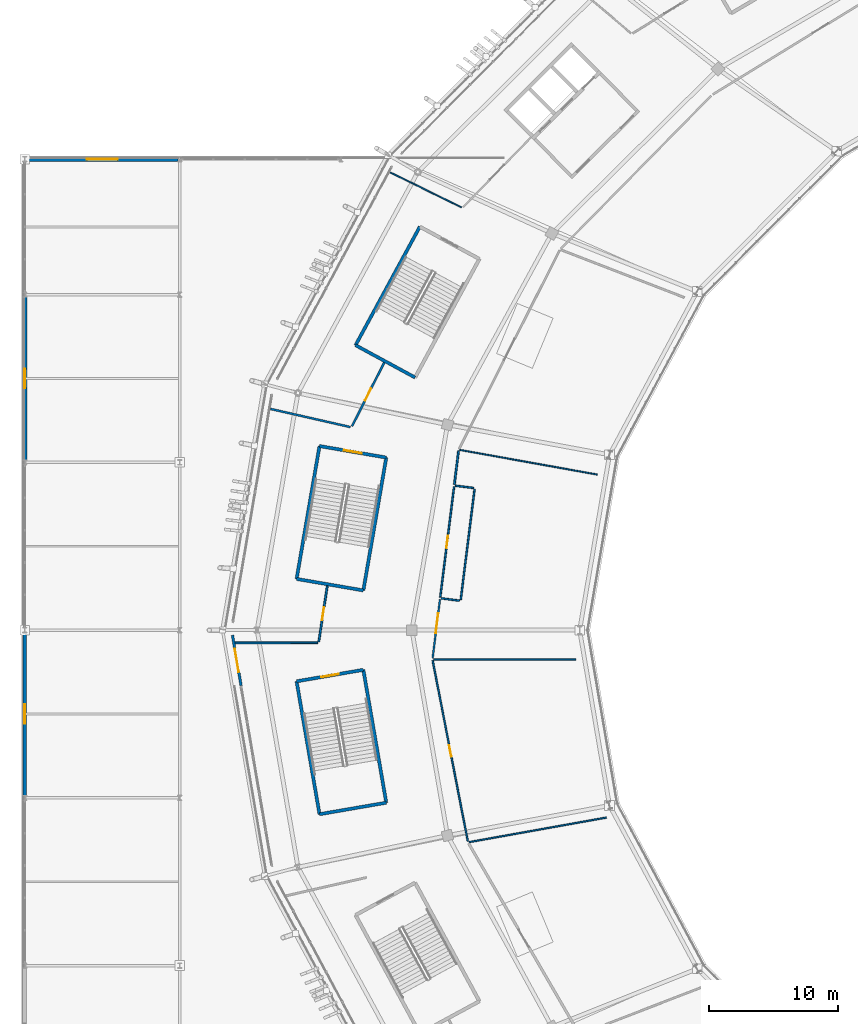
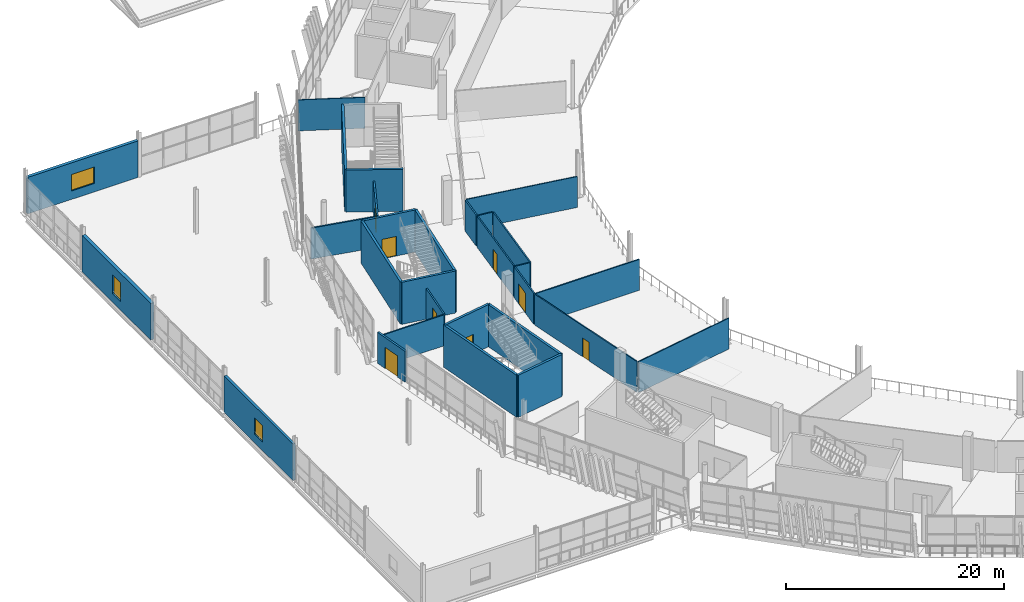
# One storey, part 127 of 179: 29 walls, 8 doors, 3 windows, 11 openings.
"""IFC4 building model written with IfcOpenShell, lengths in metres."""

import ifcopenshell
import ifcopenshell.guid

model = None  # the IFC model being written
_history = None  # IfcOwnerHistory: only IFC2X3 demands one
_inside = {}  # id of a spatial element -> (the spatial element, [elements in it])
_under = {}  # id of a project, library or spatial element -> (it, [spatial elements below it])
_declared = {}  # id of a project -> (the project, [libraries it declares])
_typed = {}  # id of a type object -> (the type object, [elements of that type])
_made_of = {}  # id of a material, layer set ... -> (it, [elements and type objects made of it])


def new_model(schema):
    """Start an empty IFC model of exactly this schema.

    Asked for "IFC4X3", IfcOpenShell would pick the latest addendum, in which some entities
    have other attributes; the version numbers below select the first issue.
    IFC2X3 requires an IfcOwnerHistory on every rooted entity: one is made here for all.
    """
    global model, _history
    if schema == "IFC4X3":
        model = ifcopenshell.file(schema_version=(4, 3, 0, 0))
    else:
        model = ifcopenshell.file(schema=schema)
    _inside.clear()
    _under.clear()
    _declared.clear()
    _typed.clear()
    _made_of.clear()
    _history = None
    if model.schema == "IFC2X3":
        org = make("IfcOrganization", Name="unknown")
        user = make(
            "IfcPersonAndOrganization",
            ThePerson=make("IfcPerson", FamilyName="unknown"),
            TheOrganization=org,
        )
        app = make(
            "IfcApplication",
            ApplicationDeveloper=org,
            Version="unknown",
            ApplicationFullName="unknown",
            ApplicationIdentifier="unknown",
        )
        _history = make(
            "IfcOwnerHistory",
            OwningUser=user,
            OwningApplication=app,
            ChangeAction="ADDED",
            CreationDate=0,
        )
    return model


def make(cls, **values):
    """One entity of the class cls with the attributes given. An attribute that is None is left unset."""
    return model.create_entity(
        cls, **{name: value for name, value in values.items() if value is not None}
    )


def rooted(cls, **values):
    """An entity with a GlobalId (a new one), such as an element, a storey or a relation."""
    return make(cls, GlobalId=ifcopenshell.guid.new(), OwnerHistory=_history, **values)


def si_unit(unit_type, name, prefix=None):
    """IfcSIUnit, for example si_unit("LENGTHUNIT", "METRE", prefix="MILLI")."""
    return make("IfcSIUnit", UnitType=unit_type, Prefix=prefix, Name=name)


def assignment(units):
    """IfcUnitAssignment: the units of a project."""
    return None if units is None else make("IfcUnitAssignment", Units=units)


def point(xyz):
    """IfcCartesianPoint."""
    return None if xyz is None else make("IfcCartesianPoint", Coordinates=xyz)


def direction(xyz):
    """IfcDirection."""
    return None if xyz is None else make("IfcDirection", DirectionRatios=xyz)


def frame(location, z_axis=None, x_axis=None):
    """IfcAxis2Placement3D, a coordinate frame: its origin and axes. An axis left out is left unset."""
    return make(
        "IfcAxis2Placement3D",
        Location=point(location),
        Axis=direction(z_axis),
        RefDirection=direction(x_axis),
    )


def frame_2d(location, x_axis=None):
    """IfcAxis2Placement2D, a coordinate frame in the plane: its origin and x axis."""
    return make(
        "IfcAxis2Placement2D", Location=point(location), RefDirection=direction(x_axis)
    )


def origin():
    """The frame at (0, 0, 0) with its axes left unset."""
    return frame((0.0, 0.0, 0.0))


def place(relative_to, where):
    """IfcLocalPlacement: puts the frame where relative to a parent placement (None: the world)."""
    return make(
        "IfcLocalPlacement", PlacementRelTo=relative_to, RelativePlacement=where
    )


def context(
    kind, dimensions, precision=None, world=None, true_north=None, identifier=None
):
    """IfcGeometricRepresentationContext, for example the 3D "Model" context."""
    return make(
        "IfcGeometricRepresentationContext",
        ContextIdentifier=identifier,
        ContextType=kind,
        CoordinateSpaceDimension=dimensions,
        Precision=precision,
        WorldCoordinateSystem=world,
        TrueNorth=true_north,
    )


def subcontext(parent, identifier, kind, view, scale=None):
    """IfcGeometricRepresentationSubContext, for example "Body" below "Model"."""
    return make(
        "IfcGeometricRepresentationSubContext",
        ContextIdentifier=identifier,
        ContextType=kind,
        ParentContext=parent,
        TargetScale=scale,
        TargetView=view,
    )


def project(units=None, contexts=None):
    """IfcProject with its units and contexts."""
    return rooted(
        "IfcProject",
        Name="project",
        RepresentationContexts=contexts,
        UnitsInContext=assignment(units),
    )


def spatial(cls, under=None, at=None, **own):
    """A site, building, storey or space (cls), placed at a placement, below another one or the project."""
    s = rooted(cls, ObjectPlacement=at, **own)
    if under is not None:
        _under.setdefault(under.id(), (under, []))[1].append(s)
    return s


def profile(cls, at=None, kind="AREA", **sizes):
    """A parametric profile (cls). Its sizes go by their IFC names, for example OverallWidth=200.0."""
    return make(cls, ProfileType=kind, Position=at, **sizes)


def rectangle(**sizes):
    """IfcRectangleProfileDef."""
    return profile("IfcRectangleProfileDef", **sizes)


def extrude(swept, where, along, depth):
    """IfcExtrudedAreaSolid: the profile swept, set in the frame where, extruded along a direction by depth."""
    return make(
        "IfcExtrudedAreaSolid",
        SweptArea=swept,
        Position=where,
        ExtrudedDirection=direction(along),
        Depth=depth,
    )


def shape(context_of_items, identifier, shape_type, items):
    """IfcShapeRepresentation: the items that make up one representation, for example the "Body"."""
    return make(
        "IfcShapeRepresentation",
        ContextOfItems=context_of_items,
        RepresentationIdentifier=identifier,
        RepresentationType=shape_type,
        Items=items,
    )


def material(Name=None, Category=None):
    """IfcMaterial."""
    return make("IfcMaterial", Name=Name, Category=Category)


def layer(
    of_material, thickness, ventilated=None, Name=None, Category=None, Priority=None
):
    """IfcMaterialLayer: one layer of a wall or slab, of a material (None: an air gap)."""
    return make(
        "IfcMaterialLayer",
        Material=of_material,
        LayerThickness=thickness,
        IsVentilated=ventilated,
        Name=Name,
        Category=Category,
        Priority=Priority,
    )


def layer_set(layers, Name=None):
    """IfcMaterialLayerSet."""
    return make("IfcMaterialLayerSet", MaterialLayers=layers, LayerSetName=Name)


def made_of(thing, what):
    """Note that an element or type object is made of a material, layer set ...; save() writes the relation."""
    if what is not None:
        _made_of.setdefault(what.id(), (what, []))[1].append(thing)
    return thing


def type_object(cls, material=None, **own):
    """A type object (cls), such as IfcWallType, which elements share."""
    return made_of(rooted(cls, **own), material)


def element(
    cls,
    number,
    at=None,
    inside=None,
    cuts=None,
    type_object=None,
    material=None,
    context=None,
    identifier="Body",
    shape_type=None,
    held_by="IfcProductDefinitionShape",
    body=None,
    shapes=None,
    **own,
):
    """One element of the class cls, such as IfcWall. Its Tag is "e" and its number.

    at: its placement. inside: the storey or other place that contains it. cuts: it is an
    opening in that element (IfcRelVoidsElement). A single representation is given by context,
    identifier, shape_type and body (its items); several are given by shapes. held_by: the class
    of the entity that holds the representations. save() writes the other relations.
    """
    e = rooted(cls, Tag="e%d" % number, ObjectPlacement=at, **own)
    if body is not None:
        shapes = [shape(context, identifier, shape_type, body)]
    if shapes is not None:
        e.Representation = make(held_by, Representations=shapes)
    if inside is not None:
        _inside.setdefault(inside.id(), (inside, []))[1].append(e)
    if cuts is not None:
        rooted(
            "IfcRelVoidsElement", RelatingBuildingElement=cuts, RelatedOpeningElement=e
        )
    if type_object is not None:
        _typed.setdefault(type_object.id(), (type_object, []))[1].append(e)
    return made_of(e, material)


def fill(opening, filler):
    """IfcRelFillsElement: the door or window that sits in an opening."""
    return rooted(
        "IfcRelFillsElement",
        RelatingOpeningElement=opening,
        RelatedBuildingElement=filler,
    )


def aggregate(whole, parts):
    """IfcRelAggregates: a whole, such as a stair, and the parts it consists of."""
    return rooted("IfcRelAggregates", RelatingObject=whole, RelatedObjects=parts)


def save(model, path):
    """Write the relations noted so far, then the file.

    IfcRelAggregates (storeys below a building ...), IfcRelContainedInSpatialStructure (elements
    in a storey), IfcRelDefinesByType, IfcRelAssociatesMaterial and IfcRelDeclares: one each for
    every whole, place, type object, material and project.
    """
    for whole, parts in _under.values():
        aggregate(whole, parts)
    for where, things in _inside.values():
        rooted(
            "IfcRelContainedInSpatialStructure",
            RelatedElements=things,
            RelatingStructure=where,
        )
    for kind, things in _typed.values():
        rooted("IfcRelDefinesByType", RelatedObjects=things, RelatingType=kind)
    for what, things in _made_of.values():
        rooted("IfcRelAssociatesMaterial", RelatedObjects=things, RelatingMaterial=what)
    for by, libraries in _declared.values():
        rooted("IfcRelDeclares", RelatingContext=by, RelatedDefinitions=libraries)
    model.write(path)


model = new_model("IFC4")

# Units and contexts
model_context = context("Model", 3, precision=1e-05, world=origin(), true_north=direction((0.0, 1.0)))
body_context = subcontext(model_context, "Body", "Model", "MODEL_VIEW")
ifc_project = project(units=[si_unit("LENGTHUNIT", "METRE"), si_unit("AREAUNIT", "SQUARE_METRE"), si_unit("VOLUMEUNIT", "CUBIC_METRE"), si_unit("PLANEANGLEUNIT", "RADIAN"), si_unit("MASSUNIT", "GRAM", prefix="KILO")], contexts=[model_context])

# Site, building, storey
site_placement = place(None, origin())
site = spatial("IfcSite", under=ifc_project, at=site_placement, CompositionType="ELEMENT")
building_placement = place(site_placement, origin())
building = spatial("IfcBuilding", under=site, at=building_placement, Name="Zlatoyarsky Gate Stadium", CompositionType="ELEMENT")
storey_placement = place(building_placement, frame((0.0, 0.0, 10.60009765625)))
storey = spatial("IfcBuildingStorey", under=building, at=storey_placement, Name="L02", CompositionType="ELEMENT", Elevation=10.60009765625)

# Wall, opening, door
ifc_material_1 = material(Name="Double-stud acoustic gypsum partition", Category="gypsum")
ifc_layer_1 = layer(ifc_material_1, 0.169921875)
ifc_layer_set_1 = layer_set([ifc_layer_1], Name="Double-stud acoustic gypsum partition")
wall_type_1 = type_object("IfcWallType", Name="ACOUSTIC BROADCAST STUDIO WALL 170", PredefinedType="PARTITIONING", material=ifc_layer_set_1)
wall_1_placement = place(storey_placement, frame((27.849365234375, 100.732421875, 0.0), z_axis=(0.0, 0.0, 1.0), x_axis=(-0.451304453126, -0.892370041288, 0.0)))
wall_1 = element("IfcWall", 1, at=wall_1_placement, inside=storey, type_object=wall_type_1, Name="L02 interior partition PRT-L02-OCC-10-1", PredefinedType="PARTITIONING", context=body_context, shape_type="SweptSolid", body=[
    extrude(rectangle(XDim=5.531982421875, YDim=0.169921875, at=frame_2d((2.76611328125, 0.0))), origin(), (0.0, 0.0, 1.0), 3.469970703125),
])
opening_1_placement = place(wall_1_placement, frame((2.256103515625, 0.0, 0.0)))
opening_1 = element("IfcOpeningElement", 2, at=opening_1_placement, cuts=wall_1, Name="Opening D-L02-360", PredefinedType="OPENING", context=body_context, shape_type="SweptSolid", body=[
    extrude(rectangle(XDim=1.02001953125, YDim=2.239990234375, at=frame_2d((0.510009765625, 1.1201171875))), frame((0.0, 0.094970703125, 0.0), z_axis=(0.0, -1.0, 0.0), x_axis=(1.0, 0.0, 0.0)), (0.0, 0.0, 1.0), 0.18994140625),
])
ifc_material_2 = material(Name="Powder-coated steel fire door", Category="steel")
door_type_1 = type_object("IfcDoorType", Name="ACOUSTIC INTERIOR DOOR 1020X2240", OperationType="NOTDEFINED", PredefinedType="DOOR", material=ifc_material_2)
door_1_placement = place(opening_1_placement, origin())
door_1 = element("IfcDoor", 3, at=door_1_placement, inside=storey, type_object=door_type_1, Name="L02 room door D-L02-360", OperationType="SINGLE_SWING_RIGHT", OverallHeight=2.239990234375, OverallWidth=1.02001953125, PredefinedType="DOOR", context=body_context, shape_type="SweptSolid", body=[
    extrude(rectangle(XDim=1.02001953125, YDim=2.239990234375, at=frame_2d((0.510009765625, 1.1201171875))), frame((0.0, 0.02490234375, 0.0), z_axis=(0.0, -1.0, 0.0), x_axis=(1.0, 0.0, 0.0)), (0.0, 0.0, 1.0), 0.050048828125),
])
fill(opening_1, door_1)

ifc_material_3 = material(Name="Moisture-resistant masonry partition", Category="masonry")
ifc_layer_2 = layer(ifc_material_3, 0.139892578125)
ifc_layer_set_2 = layer_set([ifc_layer_2], Name="Moisture-resistant masonry partition")
wall_type_2 = type_object("IfcWallType", Name="ATHLETE CHANGING BLOCK PARTITION 140", PredefinedType="PARTITIONING", material=ifc_layer_set_2)
wall_2_placement = place(storey_placement, frame((32.176513671875, 82.389404296875, 0.0), z_axis=(0.0, 0.0, 1.0), x_axis=(-0.124269532661, -0.99224849874, 0.0)))
wall_2 = element("IfcWall", 4, at=wall_2_placement, inside=storey, type_object=wall_type_2, Name="L02 interior partition PRT-L02-ICC-11", PredefinedType="PARTITIONING", context=body_context, shape_type="SweptSolid", body=[
    extrude(rectangle(XDim=4.60693359375, YDim=0.139892578125, at=frame_2d((2.303466796875, 0.0))), origin(), (0.0, 0.0, 1.0), 3.469970703125),
])
opening_2_placement = place(wall_2_placement, frame((1.10009765625, 0.0, 0.0)))
opening_2 = element("IfcOpeningElement", 5, at=opening_2_placement, cuts=wall_2, Name="Opening D-L02-313", PredefinedType="OPENING", context=body_context, shape_type="SweptSolid", body=[
    extrude(rectangle(XDim=1.56005859375, YDim=2.239990234375, at=frame_2d((0.780029296875, 1.1201171875))), frame((0.0, 0.079833984375, 0.0), z_axis=(0.0, -1.0, 0.0), x_axis=(1.0, 0.0, 0.0)), (0.0, 0.0, 1.0), 0.159912109375),
])
door_type_2 = type_object("IfcDoorType", Name="ACOUSTIC INTERIOR DOOR 1560X2240", OperationType="NOTDEFINED", PredefinedType="DOOR", material=ifc_material_2)
door_2_placement = place(opening_2_placement, origin())
door_2 = element("IfcDoor", 6, at=door_2_placement, inside=storey, type_object=door_type_2, Name="L02 room door D-L02-313", OperationType="SINGLE_SWING_RIGHT", OverallHeight=2.239990234375, OverallWidth=1.56005859375, PredefinedType="DOOR", context=body_context, shape_type="SweptSolid", body=[
    extrude(rectangle(XDim=1.56005859375, YDim=2.239990234375, at=frame_2d((0.780029296875, 1.1201171875))), frame((0.0, 0.02490234375, 0.0), z_axis=(0.0, -1.0, 0.0), x_axis=(1.0, 0.0, 0.0)), (0.0, 0.0, 1.0), 0.050048828125),
])
fill(opening_2, door_2)

# Wall
wall_3_placement = place(storey_placement, frame((22.685302734375, 79.0146484375, 0.0), z_axis=(0.0, 0.0, 1.0), x_axis=(-0.999999999274, -3.8103948e-05, 0.0)))
element("IfcWall", 7, at=wall_3_placement, inside=storey, type_object=wall_type_2, Name="L02 interior partition PRT-L02-ORD-11R", PredefinedType="PARTITIONING", context=body_context, shape_type="SweptSolid", body=[
    extrude(rectangle(XDim=6.4072265625, YDim=0.139892578125, at=frame_2d((3.20361328125, 0.0))), origin(), (0.0, 0.0, 1.0), 3.469970703125),
])

# Wall, opening, door
ifc_material_4 = material(Name="Gypsum-clad mineral wool fire partition", Category="gypsum")
ifc_layer_3 = layer(ifc_material_4, 0.199951171875)
ifc_layer_set_3 = layer_set([ifc_layer_3], Name="Gypsum-clad mineral wool fire partition")
wall_type_3 = type_object("IfcWallType", Name="COMPARTMENT FIRE PARTITION WALL 200", PredefinedType="PARTITIONING", material=ifc_layer_set_3)
wall_4_placement = place(storey_placement, frame((16.092529296875, 79.600830078125, 0.0), z_axis=(0.0, 0.0, 1.0), x_axis=(0.168866275192, -0.985638970974, 0.0)))
wall_4 = element("IfcWall", 8, at=wall_4_placement, inside=storey, type_object=wall_type_3, Name="L02 interior partition PRT-PORTAL-L02-12", PredefinedType="PARTITIONING", context=body_context, shape_type="SweptSolid", body=[
    extrude(rectangle(XDim=3.9599609375, YDim=0.199951171875, at=frame_2d((1.97998046875, 0.0))), origin(), (0.0, 0.0, 1.0), 3.469970703125),
])
opening_3_placement = place(wall_4_placement, frame((1.070068359375, 0.0, 0.0)))
opening_3 = element("IfcOpeningElement", 9, at=opening_3_placement, cuts=wall_4, Name="Opening D-L02-715", PredefinedType="OPENING", context=body_context, shape_type="SweptSolid", body=[
    extrude(rectangle(XDim=1.820068359375, YDim=2.3798828125, at=frame_2d((0.91015625, 1.18994140625))), frame((0.0, 0.10986328125, 0.0), z_axis=(0.0, -1.0, 0.0), x_axis=(1.0, 0.0, 0.0)), (0.0, 0.0, 1.0), 0.219970703125),
])
door_type_3 = type_object("IfcDoorType", Name="ACOUSTIC INTERIOR DOOR 1820X2380", OperationType="NOTDEFINED", PredefinedType="DOOR", material=ifc_material_2)
door_3_placement = place(opening_3_placement, origin())
door_3 = element("IfcDoor", 10, at=door_3_placement, inside=storey, type_object=door_type_3, Name="L02 room door D-L02-715", OperationType="SINGLE_SWING_LEFT", OverallHeight=2.3798828125, OverallWidth=1.820068359375, PredefinedType="DOOR", context=body_context, shape_type="SweptSolid", body=[
    extrude(rectangle(XDim=1.820068359375, YDim=2.3798828125, at=frame_2d((0.91015625, 1.18994140625))), frame((0.0, 0.02490234375, 0.0), z_axis=(0.0, -1.0, 0.0), x_axis=(1.0, 0.0, 0.0)), (0.0, 0.0, 1.0), 0.050048828125),
])
fill(opening_3, door_3)

# Wall
ifc_material_5 = material(Name="Metal-stud gypsum partition", Category="gypsum")
ifc_layer_4 = layer(ifc_material_5, 0.14990234375)
ifc_layer_set_4 = layer_set([ifc_layer_4], Name="Metal-stud gypsum partition")
wall_type_4 = type_object("IfcWallType", Name="CONCOURSE CORRIDOR PARTITION 150", PredefinedType="PARTITIONING", material=ifc_layer_set_4)
wall_5_placement = place(storey_placement, frame((33.61767578125, 93.8994140625, 0.0), z_axis=(0.0, 0.0, 1.0), x_axis=(-0.124206110608, -0.992256439681, 0.0)))
element("IfcWall", 11, at=wall_5_placement, inside=storey, type_object=wall_type_4, Name="L02 interior partition PRT-L02-WCL-11", PredefinedType="PARTITIONING", context=body_context, shape_type="SweptSolid", body=[
    extrude(rectangle(XDim=2.6298828125, YDim=0.14990234375, at=frame_2d((1.31494140625, 0.0))), origin(), (0.0, 0.0, 1.0), 3.469970703125),
])

# Wall, opening, door
wall_6_placement = place(storey_placement, frame((23.442138671875, 83.4267578125, 0.0), z_axis=(0.0, 0.0, 1.0), x_axis=(-0.150565219496, -0.988600078231, 0.0)))
wall_6 = element("IfcWall", 12, at=wall_6_placement, inside=storey, type_object=wall_type_4, Name="L02 interior partition PRT-L02-OCC-11-1", PredefinedType="PARTITIONING", context=body_context, shape_type="SweptSolid", body=[
    extrude(rectangle(XDim=4.3779296875, YDim=0.14990234375, at=frame_2d((2.18896484375, 0.0))), origin(), (0.0, 0.0, 1.0), 3.469970703125),
])
opening_4_placement = place(wall_6_placement, frame((1.67919921875, 0.0, 0.0)))
opening_4 = element("IfcOpeningElement", 13, at=opening_4_placement, cuts=wall_6, Name="Opening D-L02-362", PredefinedType="OPENING", context=body_context, shape_type="SweptSolid", body=[
    extrude(rectangle(XDim=1.02001953125, YDim=2.3798828125, at=frame_2d((0.510009765625, 1.18994140625))), frame((0.0, 0.0849609375, 0.0), z_axis=(0.0, -1.0, 0.0), x_axis=(1.0, 0.0, 0.0)), (0.0, 0.0, 1.0), 0.169921875),
])
door_type_4 = type_object("IfcDoorType", Name="ACOUSTIC INTERIOR DOOR 1020X2380", OperationType="NOTDEFINED", PredefinedType="DOOR", material=ifc_material_2)
door_4_placement = place(opening_4_placement, origin())
door_4 = element("IfcDoor", 14, at=door_4_placement, inside=storey, type_object=door_type_4, Name="L02 room door D-L02-362", OperationType="SINGLE_SWING_LEFT", OverallHeight=2.3798828125, OverallWidth=1.02001953125, PredefinedType="DOOR", context=body_context, shape_type="SweptSolid", body=[
    extrude(rectangle(XDim=1.02001953125, YDim=2.3798828125, at=frame_2d((0.510009765625, 1.18994140625))), frame((0.0, 0.02490234375, 0.0), z_axis=(0.0, -1.0, 0.0), x_axis=(1.0, 0.0, 0.0)), (0.0, 0.0, 1.0), 0.050048828125),
])
fill(opening_4, door_4)

# Walls
ifc_material_6 = material(Name="Concrete C40/50", Category="concrete")
ifc_layer_5 = layer(ifc_material_6, 0.25)
ifc_layer_set_5 = layer_set([ifc_layer_5], Name="Concrete C40/50")
wall_type_5 = type_object("IfcWallType", Name="CONCRETE STAIR CORE SHEAR WALL 250", PredefinedType="SHEAR", material=ifc_layer_set_5)
wall_7_placement = place(storey_placement, frame((30.615234375, 111.268798828125, 0.0), z_axis=(0.0, 0.0, 1.0), x_axis=(-0.476876856974, -0.878970115125, 0.0)))
element("IfcWall", 15, at=wall_7_placement, inside=storey, type_object=wall_type_5, Name="ST-06 L02 stair core left shear wall", PredefinedType="SHEAR", context=body_context, shape_type="SweptSolid", body=[
    extrude(rectangle(XDim=10.4501953125, YDim=0.25, at=frame_2d((5.22509765625, 0.0))), origin(), (0.0, 0.0, 1.0), 4.719970703125),
])
wall_8_placement = place(storey_placement, frame((25.6318359375, 102.08349609375, 0.0), z_axis=(0.0, 0.0, 1.0), x_axis=(0.878961487093, -0.47689275965, 0.0)))
element("IfcWall", 16, at=wall_8_placement, inside=storey, type_object=wall_type_5, Name="ST-06 L02 stair core far shear wall", PredefinedType="SHEAR", context=body_context, shape_type="SweptSolid", body=[
    extrude(rectangle(XDim=5.25, YDim=0.25, at=frame_2d((2.625, 0.0))), origin(), (0.0, 0.0, 1.0), 4.719970703125),
])

# Wall, opening, door
wall_9_placement = place(storey_placement, frame((26.237548828125, 76.92333984375, 0.0), z_axis=(0.0, 0.0, 1.0), x_axis=(-0.985457162135, -0.16992404655, 0.0)))
wall_9 = element("IfcWall", 17, at=wall_9_placement, inside=storey, type_object=wall_type_5, Name="ST-07 L02 stair core entrance shear wall", PredefinedType="SHEAR", context=body_context, shape_type="SweptSolid", body=[
    extrude(rectangle(XDim=5.25, YDim=0.25, at=frame_2d((2.625, 0.0))), origin(), (0.0, 0.0, 1.0), 4.719970703125),
])
opening_5_placement = place(wall_9_placement, frame((1.925048828125, 0.0, 0.0)))
opening_5 = element("IfcOpeningElement", 18, at=opening_5_placement, cuts=wall_9, Name="Opening SD-ST-07-L02", PredefinedType="OPENING", context=body_context, shape_type="SweptSolid", body=[
    extrude(rectangle(XDim=1.39990234375, YDim=2.199951171875, at=frame_2d((0.699951171875, 1.10009765625))), frame((0.0, 0.135009765625, 0.0), z_axis=(0.0, -1.0, 0.0), x_axis=(1.0, 0.0, 0.0)), (0.0, 0.0, 1.0), 0.27001953125),
])
door_type_5 = type_object("IfcDoorType", Name="STAIR CORE FIRE EXIT DOOR 1400X2200", OperationType="NOTDEFINED", PredefinedType="DOOR", material=ifc_material_2)
door_5_placement = place(opening_5_placement, frame((1.39990234375, 0.0, 0.0), z_axis=(0.0, 0.0, 1.0), x_axis=(-1.0, 0.0, 0.0)))
door_5 = element("IfcDoor", 19, at=door_5_placement, inside=storey, type_object=door_type_5, Name="ST-07 L02 stair fire door", OperationType="SINGLE_SWING_RIGHT", OverallHeight=2.199951171875, OverallWidth=1.39990234375, PredefinedType="DOOR", context=body_context, shape_type="SweptSolid", body=[
    extrude(rectangle(XDim=1.39990234375, YDim=2.199951171875, at=frame_2d((0.699951171875, 1.10009765625))), frame((0.0, 0.02490234375, 0.0), z_axis=(0.0, -1.0, 0.0), x_axis=(1.0, 0.0, 0.0)), (0.0, 0.0, 1.0), 0.050048828125),
])
fill(opening_5, door_5)

# Walls
wall_10_placement = place(storey_placement, frame((21.06396484375, 76.03125, 0.0), z_axis=(0.0, 0.0, 1.0), x_axis=(0.169938992676, -0.985454584833, 0.0)))
element("IfcWall", 20, at=wall_10_placement, inside=storey, type_object=wall_type_5, Name="ST-07 L02 stair core left shear wall", PredefinedType="SHEAR", context=body_context, shape_type="SweptSolid", body=[
    extrude(rectangle(XDim=10.4501953125, YDim=0.25, at=frame_2d((5.22509765625, 0.0))), origin(), (0.0, 0.0, 1.0), 4.719970703125),
])
wall_11_placement = place(storey_placement, frame((22.83984375, 65.733154296875, 0.0), z_axis=(0.0, 0.0, 1.0), x_axis=(0.985457162135, 0.16992404655, 0.0)))
element("IfcWall", 21, at=wall_11_placement, inside=storey, type_object=wall_type_5, Name="ST-07 L02 stair core far shear wall", PredefinedType="SHEAR", context=body_context, shape_type="SweptSolid", body=[
    extrude(rectangle(XDim=5.25, YDim=0.25, at=frame_2d((2.625, 0.0))), origin(), (0.0, 0.0, 1.0), 4.719970703125),
])
wall_12_placement = place(storey_placement, frame((28.013427734375, 66.625244140625, 0.0), z_axis=(0.0, 0.0, 1.0), x_axis=(-0.169938992676, 0.985454584833, 0.0)))
element("IfcWall", 22, at=wall_12_placement, inside=storey, type_object=wall_type_5, Name="ST-07 L02 stair core right shear wall", PredefinedType="SHEAR", context=body_context, shape_type="SweptSolid", body=[
    extrude(rectangle(XDim=10.4501953125, YDim=0.25, at=frame_2d((5.22509765625, 0.0))), origin(), (0.0, 0.0, 1.0), 4.719970703125),
])

# Wall, opening, door
wall_13_placement = place(storey_placement, frame((28.01318359375, 93.374755859375, 0.0), z_axis=(0.0, 0.0, 1.0), x_axis=(-0.985457162135, 0.16992404655, 0.0)))
wall_13 = element("IfcWall", 23, at=wall_13_placement, inside=storey, type_object=wall_type_5, Name="ST-18 L02 stair core entrance shear wall", PredefinedType="SHEAR", context=body_context, shape_type="SweptSolid", body=[
    extrude(rectangle(XDim=5.25, YDim=0.25, at=frame_2d((2.625, 0.0))), origin(), (0.0, 0.0, 1.0), 4.719970703125),
])
opening_6_placement = place(wall_13_placement, frame((1.925048828125, 0.0, 0.0)))
opening_6 = element("IfcOpeningElement", 24, at=opening_6_placement, cuts=wall_13, Name="Opening SD-ST-18-L02", PredefinedType="OPENING", context=body_context, shape_type="SweptSolid", body=[
    extrude(rectangle(XDim=1.39990234375, YDim=2.199951171875, at=frame_2d((0.699951171875, 1.10009765625))), frame((0.0, 0.135009765625, 0.0), z_axis=(0.0, -1.0, 0.0), x_axis=(1.0, 0.0, 0.0)), (0.0, 0.0, 1.0), 0.27001953125),
])
door_6_placement = place(opening_6_placement, frame((1.39990234375, 0.0, 0.0), z_axis=(0.0, 0.0, 1.0), x_axis=(-1.0, 0.0, 0.0)))
door_6 = element("IfcDoor", 25, at=door_6_placement, inside=storey, type_object=door_type_5, Name="ST-18 L02 stair fire door", OperationType="SINGLE_SWING_RIGHT", OverallHeight=2.199951171875, OverallWidth=1.39990234375, PredefinedType="DOOR", context=body_context, shape_type="SweptSolid", body=[
    extrude(rectangle(XDim=1.39990234375, YDim=2.199951171875, at=frame_2d((0.699951171875, 1.10009765625))), frame((0.0, 0.02490234375, 0.0), z_axis=(0.0, -1.0, 0.0), x_axis=(1.0, 0.0, 0.0)), (0.0, 0.0, 1.0), 0.050048828125),
])
fill(opening_6, door_6)

# Walls
wall_14_placement = place(storey_placement, frame((22.839599609375, 94.266845703125, 0.0), z_axis=(0.0, 0.0, 1.0), x_axis=(-0.169938992676, -0.985454584833, 0.0)))
element("IfcWall", 26, at=wall_14_placement, inside=storey, type_object=wall_type_5, Name="ST-18 L02 stair core left shear wall", PredefinedType="SHEAR", context=body_context, shape_type="SweptSolid", body=[
    extrude(rectangle(XDim=10.4501953125, YDim=0.25, at=frame_2d((5.22509765625, 0.0))), origin(), (0.0, 0.0, 1.0), 4.719970703125),
])
wall_15_placement = place(storey_placement, frame((21.063720703125, 83.96875, 0.0), z_axis=(0.0, 0.0, 1.0), x_axis=(0.985458504796, -0.169916259745, 0.0)))
element("IfcWall", 27, at=wall_15_placement, inside=storey, type_object=wall_type_5, Name="ST-18 L02 stair core far shear wall", PredefinedType="SHEAR", context=body_context, shape_type="SweptSolid", body=[
    extrude(rectangle(XDim=5.250244140625, YDim=0.25, at=frame_2d((2.625, 0.0))), origin(), (0.0, 0.0, 1.0), 4.719970703125),
])
wall_16_placement = place(storey_placement, frame((26.237548828125, 83.07666015625, 0.0), z_axis=(0.0, 0.0, 1.0), x_axis=(0.16991630471, 0.985458497043, 0.0)))
element("IfcWall", 28, at=wall_16_placement, inside=storey, type_object=wall_type_5, Name="ST-18 L02 stair core right shear wall", PredefinedType="SHEAR", context=body_context, shape_type="SweptSolid", body=[
    extrude(rectangle(XDim=10.449951171875, YDim=0.25, at=frame_2d((5.22509765625, 0.0))), origin(), (0.0, 0.0, 1.0), 4.719970703125),
])
ifc_material_7 = material(Name="Timber-veneered acoustic operable partition", Category="wood")
ifc_layer_6 = layer(ifc_material_7, 0.094970703125)
ifc_layer_set_6 = layer_set([ifc_layer_6], Name="Timber-veneered acoustic operable partition")
wall_type_6 = type_object("IfcWallType", Name="FOLDING BANQUET SALON WALL 95", PredefinedType="MOVABLE", material=ifc_layer_set_6)
wall_17_placement = place(storey_placement, frame((33.842041015625, 112.770751953125, 0.0), z_axis=(0.0, 0.0, 1.0), x_axis=(-0.898171825024, 0.439644598207, 0.0)))
element("IfcWall", 29, at=wall_17_placement, inside=storey, type_object=wall_type_6, Name="L02 interior partition PRT-L02-ORD-09R", PredefinedType="MOVABLE", context=body_context, shape_type="SweptSolid", body=[
    extrude(rectangle(XDim=6.167236328125, YDim=0.094970703125, at=frame_2d((3.08349609375, 0.0))), origin(), (0.0, 0.0, 1.0), 3.469970703125),
])
ifc_material_8 = material(Name="Acoustic metal-stud gypsum partition", Category="gypsum")
ifc_layer_7 = layer(ifc_material_8, 0.159912109375)
ifc_layer_set_7 = layer_set([ifc_layer_7], Name="Acoustic metal-stud gypsum partition")
wall_type_7 = type_object("IfcWallType", Name="HOSPITALITY SUITE PARTITION 160", PredefinedType="PARTITIONING", material=ifc_layer_set_7)
wall_18_placement = place(storey_placement, frame((25.2314453125, 95.73876953125, 0.0), z_axis=(0.0, 0.0, 1.0), x_axis=(-0.975146090514, 0.221562862762, 0.0)))
element("IfcWall", 30, at=wall_18_placement, inside=storey, type_object=wall_type_7, Name="L02 interior partition PRT-L02-ORD-10R", PredefinedType="PARTITIONING", context=body_context, shape_type="SweptSolid", body=[
    extrude(rectangle(XDim=6.341552734375, YDim=0.159912109375, at=frame_2d((3.1708984375, 0.0))), origin(), (0.0, 0.0, 1.0), 3.469970703125),
])
ifc_layer_8 = layer(ifc_material_5, 0.110107421875)
ifc_layer_set_8 = layer_set([ifc_layer_8], Name="Metal-stud gypsum partition")
wall_type_8 = type_object("IfcWallType", Name="KIOSK SERVICE PARTITION 110", PredefinedType="PARTITIONING", material=ifc_layer_set_8)
wall_19_placement = place(storey_placement, frame((45.0791015625, 65.474365234375, 0.0), z_axis=(0.0, 0.0, 1.0), x_axis=(-0.984317575192, -0.176405530436, 0.0)))
element("IfcWall", 31, at=wall_19_placement, inside=storey, type_object=wall_type_8, Name="L02 interior partition PRT-L02-IRD-13", PredefinedType="PARTITIONING", context=body_context, shape_type="SweptSolid", body=[
    extrude(rectangle(XDim=10.814453125, YDim=0.110107421875, at=frame_2d((5.4072265625, 0.0))), origin(), (0.0, 0.0, 1.0), 3.469970703125),
])
ifc_layer_9 = layer(ifc_material_5, 0.10009765625)
ifc_layer_set_9 = layer_set([ifc_layer_9], Name="Metal-stud gypsum partition")
wall_type_9 = type_object("IfcWallType", Name="LIGHT STORAGE PARTITION 100", PredefinedType="PARTITIONING", material=ifc_layer_set_9)
wall_20_placement = place(storey_placement, frame((44.3681640625, 92.056640625, 0.0), z_axis=(0.0, 0.0, 1.0), x_axis=(-0.984280053561, 0.176614767675, 0.0)))
element("IfcWall", 32, at=wall_20_placement, inside=storey, type_object=wall_type_9, Name="L02 interior partition PRT-L02-IRD-11", PredefinedType="PARTITIONING", context=body_context, shape_type="SweptSolid", body=[
    extrude(rectangle(XDim=10.826416015625, YDim=0.10009765625, at=frame_2d((5.4130859375, 0.0))), origin(), (0.0, 0.0, 1.0), 3.469970703125),
])

# Wall, opening, window
ifc_material_9 = material(Name="Limestone-faced insulated masonry wall", Category="masonry")
ifc_layer_10 = layer(ifc_material_9, 0.360107421875)
ifc_layer_set_10 = layer_set([ifc_layer_10], Name="Limestone-faced insulated masonry wall")
wall_type_10 = type_object("IfcWallType", Name="LIMESTONE CLAD CAVITY WALL 360", PredefinedType="STANDARD", material=ifc_layer_set_10)
wall_21_placement = place(storey_placement, frame((0.0, 93.197021484375, 0.0), z_axis=(0.0, 0.0, 1.0), x_axis=(0.0, 1.0, 0.0)))
wall_21 = element("IfcWall", 33, at=wall_21_placement, inside=storey, type_object=wall_type_10, Name="V4_WEST L02 W_LO exterior wall", PredefinedType="STANDARD", context=body_context, shape_type="SweptSolid", body=[
    extrude(rectangle(XDim=12.60595703125, YDim=0.360107421875, at=frame_2d((6.302978515625, 0.0))), origin(), (0.0, 0.0, 1.0), 4.099853515625),
])
opening_7_placement = place(wall_21_placement, frame((5.552978515625, 0.0, 0.949951171875)))
opening_7 = element("IfcOpeningElement", 34, at=opening_7_placement, cuts=wall_21, Name="Opening WN-08", PredefinedType="OPENING", context=body_context, shape_type="SweptSolid", body=[
    extrude(rectangle(XDim=1.5, YDim=2.10009765625, at=frame_2d((0.75, 1.050048828125))), frame((0.0, 0.18994140625, 0.0), z_axis=(0.0, -1.0, 0.0), x_axis=(1.0, 0.0, 0.0)), (0.0, 0.0, 1.0), 0.380126953125),
])
ifc_material_10 = material(Name="Triple-glazed thermally broken aluminium window", Category="aluminium")
window_type_1 = type_object("IfcWindowType", Name="TRIPLE GLAZED ALUMINIUM WINDOW 1500X2100", PartitioningType="SINGLE_PANEL", PredefinedType="WINDOW", material=ifc_material_10)
window_1_placement = place(opening_7_placement, origin())
window_1 = element("IfcWindow", 35, at=window_1_placement, inside=storey, type_object=window_type_1, Name="Exterior window WIN-L02-036", OverallHeight=2.10009765625, OverallWidth=1.5, PartitioningType="SINGLE_PANEL", PredefinedType="WINDOW", context=body_context, shape_type="SweptSolid", body=[
    extrude(rectangle(XDim=1.5, YDim=2.10009765625, at=frame_2d((0.75, 1.050048828125))), frame((0.0, 0.030029296875, 0.0), z_axis=(0.0, -1.0, 0.0), x_axis=(1.0, 0.0, 0.0)), (0.0, 0.0, 1.0), 0.06005859375),
])
fill(opening_7, window_1)

# Wall, opening, door
ifc_layer_11 = layer(ifc_material_5, 0.1201171875)
ifc_layer_set_11 = layer_set([ifc_layer_11], Name="Metal-stud gypsum partition")
wall_type_11 = type_object("IfcWallType", Name="OFFICE AND PRESS PARTITION 120", PredefinedType="PARTITIONING", material=ifc_layer_set_11)
wall_22_placement = place(storey_placement, frame((31.609619140625, 77.650390625, 0.0), z_axis=(0.0, 0.0, 1.0), x_axis=(0.190845402178, -0.981620105982, 0.0)))
wall_22 = element("IfcWall", 36, at=wall_22_placement, inside=storey, type_object=wall_type_11, Name="L02 interior partition PRT-L02-ICC-12", PredefinedType="PARTITIONING", context=body_context, shape_type="SweptSolid", body=[
    extrude(rectangle(XDim=14.27783203125, YDim=0.1201171875, at=frame_2d((7.138916015625, 0.0))), origin(), (0.0, 0.0, 1.0), 3.469970703125),
])
opening_8_placement = place(wall_22_placement, frame((6.68896484375, 0.0, 0.0)))
opening_8 = element("IfcOpeningElement", 37, at=opening_8_placement, cuts=wall_22, Name="Opening D-L02-315", PredefinedType="OPENING", context=body_context, shape_type="SweptSolid", body=[
    extrude(rectangle(XDim=0.89990234375, YDim=2.10009765625, at=frame_2d((0.449951171875, 1.050048828125))), frame((0.0, 0.070068359375, 0.0), z_axis=(0.0, -1.0, 0.0), x_axis=(1.0, 0.0, 0.0)), (0.0, 0.0, 1.0), 0.14013671875),
])
ifc_material_11 = material(Name="Solid-core oak veneer acoustic door", Category="wood")
door_type_6 = type_object("IfcDoorType", Name="ACOUSTIC INTERIOR DOOR 900X2100", OperationType="NOTDEFINED", PredefinedType="DOOR", material=ifc_material_11)
door_7_placement = place(opening_8_placement, origin())
door_7 = element("IfcDoor", 38, at=door_7_placement, inside=storey, type_object=door_type_6, Name="L02 room door D-L02-315", OperationType="SINGLE_SWING_LEFT", OverallHeight=2.10009765625, OverallWidth=0.89990234375, PredefinedType="DOOR", context=body_context, shape_type="SweptSolid", body=[
    extrude(rectangle(XDim=0.89990234375, YDim=2.10009765625, at=frame_2d((0.449951171875, 1.050048828125))), frame((0.0, 0.02490234375, 0.0), z_axis=(0.0, -1.0, 0.0), x_axis=(1.0, 0.0, 0.0)), (0.0, 0.0, 1.0), 0.050048828125),
])
fill(opening_8, door_7)

# Wall, opening, window
ifc_layer_12 = layer(ifc_material_9, 0.260009765625)
ifc_layer_set_12 = layer_set([ifc_layer_12], Name="Limestone-faced insulated masonry wall")
wall_type_12 = type_object("IfcWallType", Name="PORTICO COLONNADE PLINTH WALL 260", PredefinedType="STANDARD", material=ifc_layer_set_12)
wall_23_placement = place(storey_placement, frame((0.0, 67.197021484375, 0.0), z_axis=(0.0, 0.0, 1.0), x_axis=(0.0, 1.0, 0.0)))
wall_23 = element("IfcWall", 39, at=wall_23_placement, inside=storey, type_object=wall_type_12, Name="V4_WEST L02 W_LO exterior wall", PredefinedType="STANDARD", context=body_context, shape_type="SweptSolid", body=[
    extrude(rectangle(XDim=12.60595703125, YDim=0.260009765625, at=frame_2d((6.302978515625, 0.0))), origin(), (0.0, 0.0, 1.0), 4.099853515625),
])
opening_9_placement = place(wall_23_placement, frame((5.552978515625, 0.0, 0.949951171875)))
opening_9 = element("IfcOpeningElement", 40, at=opening_9_placement, cuts=wall_23, Name="Opening WN-07", PredefinedType="OPENING", context=body_context, shape_type="SweptSolid", body=[
    extrude(rectangle(XDim=1.5, YDim=1.85009765625, at=frame_2d((0.75, 0.925048828125))), frame((0.0, 0.139892578125, 0.0), z_axis=(0.0, -1.0, 0.0), x_axis=(1.0, 0.0, 0.0)), (0.0, 0.0, 1.0), 0.280029296875),
])
window_type_2 = type_object("IfcWindowType", Name="TRIPLE GLAZED ALUMINIUM WINDOW 1500X1850", PartitioningType="SINGLE_PANEL", PredefinedType="WINDOW", material=ifc_material_10)
window_2_placement = place(opening_9_placement, origin())
window_2 = element("IfcWindow", 41, at=window_2_placement, inside=storey, type_object=window_type_2, Name="Exterior window WIN-L02-035", OverallHeight=1.85009765625, OverallWidth=1.5, PartitioningType="SINGLE_PANEL", PredefinedType="WINDOW", context=body_context, shape_type="SweptSolid", body=[
    extrude(rectangle(XDim=1.5, YDim=1.85009765625, at=frame_2d((0.75, 0.925048828125))), frame((0.0, 0.030029296875, 0.0), z_axis=(0.0, -1.0, 0.0), x_axis=(1.0, 0.0, 0.0)), (0.0, 0.0, 1.0), 0.06005859375),
])
fill(opening_9, window_2)

ifc_material_12 = material(Name="Precast concrete C40/50 architectural panel", Category="concrete")
ifc_layer_13 = layer(ifc_material_12, 0.320068359375)
ifc_layer_set_13 = layer_set([ifc_layer_13], Name="Precast concrete C40/50 architectural panel")
wall_type_13 = type_object("IfcWallType", Name="PRECAST TERRACOTTA FACADE WALL 320", PredefinedType="STANDARD", material=ifc_layer_set_13)
wall_24_placement = place(storey_placement, frame((0.14697265625, 116.5, 0.0), z_axis=(0.0, 0.0, 1.0), x_axis=(1.0, 0.0, 0.0)))
wall_24 = element("IfcWall", 42, at=wall_24_placement, inside=storey, type_object=wall_type_13, Name="V4_WEST L02 N exterior wall", PredefinedType="STANDARD", context=body_context, shape_type="SweptSolid", body=[
    extrude(rectangle(XDim=11.7060546875, YDim=0.320068359375, at=frame_2d((5.85302734375, 0.0))), origin(), (0.0, 0.0, 1.0), 4.099853515625),
])
opening_10_placement = place(wall_24_placement, frame((4.653076171875, 0.0, 0.949951171875)))
opening_10 = element("IfcOpeningElement", 43, at=opening_10_placement, cuts=wall_24, Name="Opening WN-19", PredefinedType="OPENING", context=body_context, shape_type="SweptSolid", body=[
    extrude(rectangle(XDim=2.39990234375, YDim=1.85009765625, at=frame_2d((1.199951171875, 0.925048828125))), frame((0.0, 0.169921875, 0.0), z_axis=(0.0, -1.0, 0.0), x_axis=(1.0, 0.0, 0.0)), (0.0, 0.0, 1.0), 0.340087890625),
])
window_type_3 = type_object("IfcWindowType", Name="TRIPLE GLAZED ALUMINIUM WINDOW 2400X1850", PartitioningType="SINGLE_PANEL", PredefinedType="WINDOW", material=ifc_material_10)
window_3_placement = place(opening_10_placement, origin())
window_3 = element("IfcWindow", 44, at=window_3_placement, inside=storey, type_object=window_type_3, Name="Exterior window WIN-L02-047", OverallHeight=1.85009765625, OverallWidth=2.39990234375, PartitioningType="SINGLE_PANEL", PredefinedType="WINDOW", context=body_context, shape_type="SweptSolid", body=[
    extrude(rectangle(XDim=2.39990234375, YDim=1.85009765625, at=frame_2d((1.199951171875, 0.925048828125))), frame((0.0, 0.030029296875, 0.0), z_axis=(0.0, -1.0, 0.0), x_axis=(1.0, 0.0, 0.0)), (0.0, 0.0, 1.0), 0.06005859375),
])
fill(opening_10, window_3)

# Wall, opening, door
ifc_material_13 = material(Name="Moisture-resistant tile-backed partition", Category="gypsum")
ifc_layer_14 = layer(ifc_material_13, 0.1298828125)
ifc_layer_set_14 = layer_set([ifc_layer_14], Name="Moisture-resistant tile-backed partition")
wall_type_14 = type_object("IfcWallType", Name="SANITARY WET ROOM PARTITION 130", PredefinedType="PARTITIONING", material=ifc_layer_set_14)
wall_25_placement = place(storey_placement, frame((33.269775390625, 91.12109375, 0.0), z_axis=(0.0, 0.0, 1.0), x_axis=(-0.124247119987, -0.992251305454, 0.0)))
wall_25 = element("IfcWall", 45, at=wall_25_placement, inside=storey, type_object=wall_type_14, Name="L02 interior partition PRT-L02-WC11-F", PredefinedType="PARTITIONING", context=body_context, shape_type="SweptSolid", body=[
    extrude(rectangle(XDim=8.630126953125, YDim=0.1298828125, at=frame_2d((4.31494140625, 0.0))), origin(), (0.0, 0.0, 1.0), 3.469970703125),
])
opening_11_placement = place(wall_25_placement, frame((3.8349609375, 0.0, 0.0)))
opening_11 = element("IfcOpeningElement", 46, at=opening_11_placement, cuts=wall_25, Name="Opening D-L02-308", PredefinedType="OPENING", context=body_context, shape_type="SweptSolid", body=[
    extrude(rectangle(XDim=0.9599609375, YDim=2.239990234375, at=frame_2d((0.47998046875, 1.1201171875))), frame((0.0, 0.074951171875, 0.0), z_axis=(0.0, -1.0, 0.0), x_axis=(1.0, 0.0, 0.0)), (0.0, 0.0, 1.0), 0.14990234375),
])
door_type_7 = type_object("IfcDoorType", Name="ACOUSTIC INTERIOR DOOR 960X2240", OperationType="NOTDEFINED", PredefinedType="DOOR", material=ifc_material_11)
door_8_placement = place(opening_11_placement, origin())
door_8 = element("IfcDoor", 47, at=door_8_placement, inside=storey, type_object=door_type_7, Name="L02 room door D-L02-308", OperationType="SINGLE_SWING_LEFT", OverallHeight=2.239990234375, OverallWidth=0.9599609375, PredefinedType="DOOR", context=body_context, shape_type="SweptSolid", body=[
    extrude(rectangle(XDim=0.9599609375, YDim=2.239990234375, at=frame_2d((0.47998046875, 1.1201171875))), frame((0.0, 0.02490234375, 0.0), z_axis=(0.0, -1.0, 0.0), x_axis=(1.0, 0.0, 0.0)), (0.0, 0.0, 1.0), 0.050048828125),
])
fill(opening_11, door_8)

# Walls
wall_26_placement = place(storey_placement, frame((34.857421875, 90.92236328125, 0.0), z_axis=(0.0, 0.0, 1.0), x_axis=(-0.124247119987, -0.992251305454, 0.0)))
element("IfcWall", 48, at=wall_26_placement, inside=storey, type_object=wall_type_14, Name="L02 interior partition PRT-L02-WC11-B", PredefinedType="PARTITIONING", context=body_context, shape_type="SweptSolid", body=[
    extrude(rectangle(XDim=8.630126953125, YDim=0.1298828125, at=frame_2d((4.31494140625, 0.0))), origin(), (0.0, 0.0, 1.0), 3.469970703125),
])
wall_27_placement = place(storey_placement, frame((33.364501953125, 91.19482421875, 0.0), z_axis=(0.0, 0.0, 1.0), x_axis=(0.992248962989, -0.124265825745, 0.0)))
element("IfcWall", 49, at=wall_27_placement, inside=storey, type_object=wall_type_14, Name="L02 interior partition PRT-L02-WC11-L", PredefinedType="PARTITIONING", context=body_context, shape_type="SweptSolid", body=[
    extrude(rectangle(XDim=1.43017578125, YDim=0.1298828125, at=frame_2d((0.715087890625, 0.0))), origin(), (0.0, 0.0, 1.0), 3.469970703125),
])
wall_28_placement = place(storey_placement, frame((32.271240234375, 82.462890625, 0.0), z_axis=(0.0, 0.0, 1.0), x_axis=(0.992267366855, -0.124118784533, 0.0)))
element("IfcWall", 50, at=wall_28_placement, inside=storey, type_object=wall_type_14, Name="L02 interior partition PRT-L02-WC11-R", PredefinedType="PARTITIONING", context=body_context, shape_type="SweptSolid", body=[
    extrude(rectangle(XDim=1.429931640625, YDim=0.1298828125, at=frame_2d((0.71484375, 0.0))), origin(), (0.0, 0.0, 1.0), 3.469970703125),
])
wall_29_placement = place(storey_placement, frame((42.701416015625, 77.732666015625, 0.0), z_axis=(0.0, 0.0, 1.0), x_axis=(-0.999999993868, 0.000110741971, 0.0)))
element("IfcWall", 51, at=wall_29_placement, inside=storey, type_object=wall_type_14, Name="L02 interior partition PRT-L02-IRD-12", PredefinedType="PARTITIONING", context=body_context, shape_type="SweptSolid", body=[
    extrude(rectangle(XDim=11.02294921875, YDim=0.1298828125, at=frame_2d((5.511474609375, 0.0))), origin(), (0.0, 0.0, 1.0), 3.469970703125),
])

save(model, "model.ifc")
